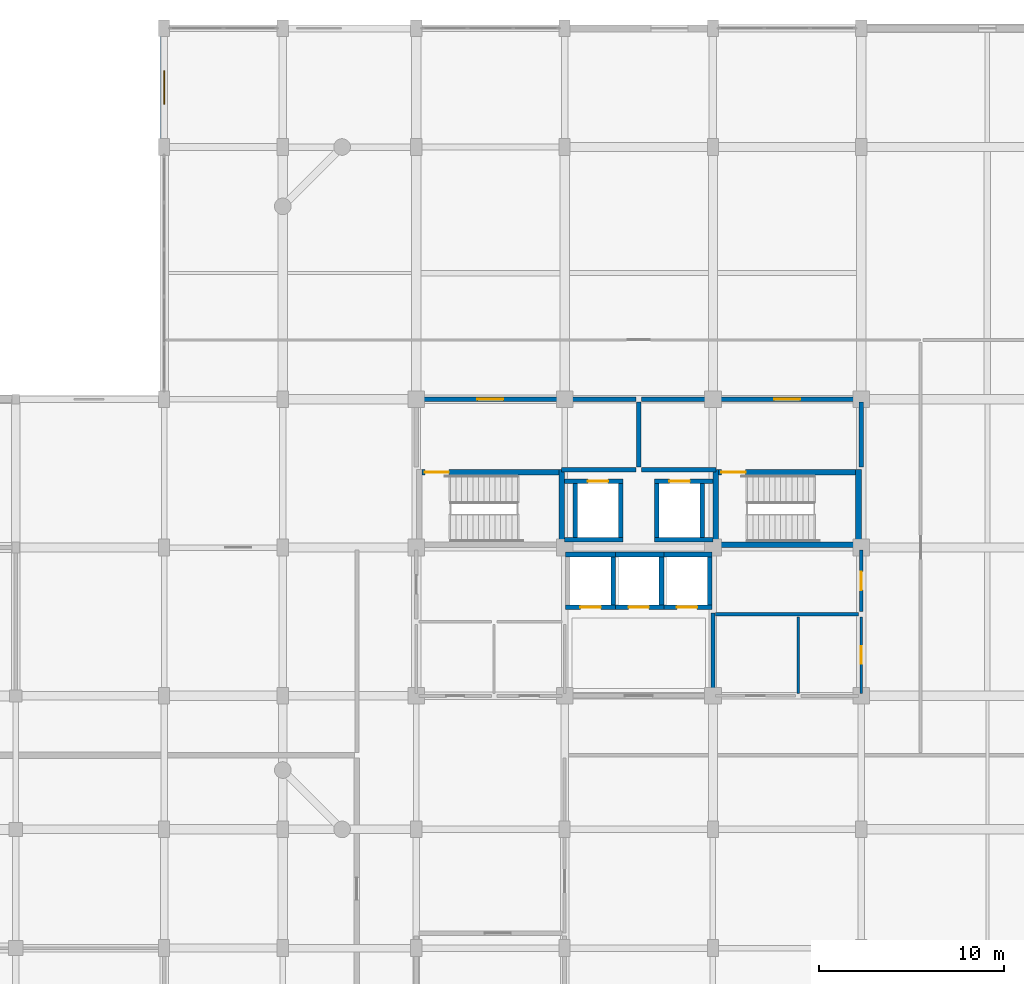
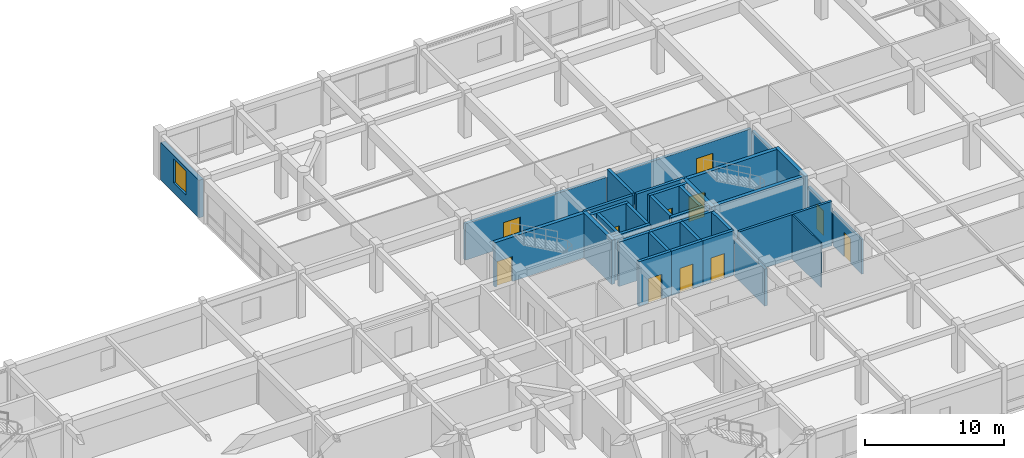
# One storey, part 31 of 35: 35 walls, 11 doors, 1 window, 12 openings.
"""IFC4 building model written with IfcOpenShell, lengths in metres."""

import ifcopenshell
import ifcopenshell.guid

model = None  # the IFC model being written
_history = None  # IfcOwnerHistory: only IFC2X3 demands one
_inside = {}  # id of a spatial element -> (the spatial element, [elements in it])
_under = {}  # id of a project, library or spatial element -> (it, [spatial elements below it])
_declared = {}  # id of a project -> (the project, [libraries it declares])
_typed = {}  # id of a type object -> (the type object, [elements of that type])
_made_of = {}  # id of a material, layer set ... -> (it, [elements and type objects made of it])


def new_model(schema):
    """Start an empty IFC model of exactly this schema.

    Asked for "IFC4X3", IfcOpenShell would pick the latest addendum, in which some entities
    have other attributes; the version numbers below select the first issue.
    IFC2X3 requires an IfcOwnerHistory on every rooted entity: one is made here for all.
    """
    global model, _history
    if schema == "IFC4X3":
        model = ifcopenshell.file(schema_version=(4, 3, 0, 0))
    else:
        model = ifcopenshell.file(schema=schema)
    _inside.clear()
    _under.clear()
    _declared.clear()
    _typed.clear()
    _made_of.clear()
    _history = None
    if model.schema == "IFC2X3":
        org = make("IfcOrganization", Name="unknown")
        user = make(
            "IfcPersonAndOrganization",
            ThePerson=make("IfcPerson", FamilyName="unknown"),
            TheOrganization=org,
        )
        app = make(
            "IfcApplication",
            ApplicationDeveloper=org,
            Version="unknown",
            ApplicationFullName="unknown",
            ApplicationIdentifier="unknown",
        )
        _history = make(
            "IfcOwnerHistory",
            OwningUser=user,
            OwningApplication=app,
            ChangeAction="ADDED",
            CreationDate=0,
        )
    return model


def make(cls, **values):
    """One entity of the class cls with the attributes given. An attribute that is None is left unset."""
    return model.create_entity(
        cls, **{name: value for name, value in values.items() if value is not None}
    )


def rooted(cls, **values):
    """An entity with a GlobalId (a new one), such as an element, a storey or a relation."""
    return make(cls, GlobalId=ifcopenshell.guid.new(), OwnerHistory=_history, **values)


def si_unit(unit_type, name, prefix=None):
    """IfcSIUnit, for example si_unit("LENGTHUNIT", "METRE", prefix="MILLI")."""
    return make("IfcSIUnit", UnitType=unit_type, Prefix=prefix, Name=name)


def assignment(units):
    """IfcUnitAssignment: the units of a project."""
    return None if units is None else make("IfcUnitAssignment", Units=units)


def point(xyz):
    """IfcCartesianPoint."""
    return None if xyz is None else make("IfcCartesianPoint", Coordinates=xyz)


def direction(xyz):
    """IfcDirection."""
    return None if xyz is None else make("IfcDirection", DirectionRatios=xyz)


def frame(location, z_axis=None, x_axis=None):
    """IfcAxis2Placement3D, a coordinate frame: its origin and axes. An axis left out is left unset."""
    return make(
        "IfcAxis2Placement3D",
        Location=point(location),
        Axis=direction(z_axis),
        RefDirection=direction(x_axis),
    )


def frame_2d(location, x_axis=None):
    """IfcAxis2Placement2D, a coordinate frame in the plane: its origin and x axis."""
    return make(
        "IfcAxis2Placement2D", Location=point(location), RefDirection=direction(x_axis)
    )


def origin():
    """The frame at (0, 0, 0) with its axes left unset."""
    return frame((0.0, 0.0, 0.0))


def place(relative_to, where):
    """IfcLocalPlacement: puts the frame where relative to a parent placement (None: the world)."""
    return make(
        "IfcLocalPlacement", PlacementRelTo=relative_to, RelativePlacement=where
    )


def context(
    kind, dimensions, precision=None, world=None, true_north=None, identifier=None
):
    """IfcGeometricRepresentationContext, for example the 3D "Model" context."""
    return make(
        "IfcGeometricRepresentationContext",
        ContextIdentifier=identifier,
        ContextType=kind,
        CoordinateSpaceDimension=dimensions,
        Precision=precision,
        WorldCoordinateSystem=world,
        TrueNorth=true_north,
    )


def subcontext(parent, identifier, kind, view, scale=None):
    """IfcGeometricRepresentationSubContext, for example "Body" below "Model"."""
    return make(
        "IfcGeometricRepresentationSubContext",
        ContextIdentifier=identifier,
        ContextType=kind,
        ParentContext=parent,
        TargetScale=scale,
        TargetView=view,
    )


def project(units=None, contexts=None):
    """IfcProject with its units and contexts."""
    return rooted(
        "IfcProject",
        Name="project",
        RepresentationContexts=contexts,
        UnitsInContext=assignment(units),
    )


def spatial(cls, under=None, at=None, **own):
    """A site, building, storey or space (cls), placed at a placement, below another one or the project."""
    s = rooted(cls, ObjectPlacement=at, **own)
    if under is not None:
        _under.setdefault(under.id(), (under, []))[1].append(s)
    return s


def profile(cls, at=None, kind="AREA", **sizes):
    """A parametric profile (cls). Its sizes go by their IFC names, for example OverallWidth=200.0."""
    return make(cls, ProfileType=kind, Position=at, **sizes)


def rectangle(**sizes):
    """IfcRectangleProfileDef."""
    return profile("IfcRectangleProfileDef", **sizes)


def extrude(swept, where, along, depth):
    """IfcExtrudedAreaSolid: the profile swept, set in the frame where, extruded along a direction by depth."""
    return make(
        "IfcExtrudedAreaSolid",
        SweptArea=swept,
        Position=where,
        ExtrudedDirection=direction(along),
        Depth=depth,
    )


def shape(context_of_items, identifier, shape_type, items):
    """IfcShapeRepresentation: the items that make up one representation, for example the "Body"."""
    return make(
        "IfcShapeRepresentation",
        ContextOfItems=context_of_items,
        RepresentationIdentifier=identifier,
        RepresentationType=shape_type,
        Items=items,
    )


def material(Name=None, Category=None):
    """IfcMaterial."""
    return make("IfcMaterial", Name=Name, Category=Category)


def layer(
    of_material, thickness, ventilated=None, Name=None, Category=None, Priority=None
):
    """IfcMaterialLayer: one layer of a wall or slab, of a material (None: an air gap)."""
    return make(
        "IfcMaterialLayer",
        Material=of_material,
        LayerThickness=thickness,
        IsVentilated=ventilated,
        Name=Name,
        Category=Category,
        Priority=Priority,
    )


def layer_set(layers, Name=None):
    """IfcMaterialLayerSet."""
    return make("IfcMaterialLayerSet", MaterialLayers=layers, LayerSetName=Name)


def made_of(thing, what):
    """Note that an element or type object is made of a material, layer set ...; save() writes the relation."""
    if what is not None:
        _made_of.setdefault(what.id(), (what, []))[1].append(thing)
    return thing


def type_object(cls, material=None, **own):
    """A type object (cls), such as IfcWallType, which elements share."""
    return made_of(rooted(cls, **own), material)


def element(
    cls,
    number,
    at=None,
    inside=None,
    cuts=None,
    type_object=None,
    material=None,
    context=None,
    identifier="Body",
    shape_type=None,
    held_by="IfcProductDefinitionShape",
    body=None,
    shapes=None,
    **own,
):
    """One element of the class cls, such as IfcWall. Its Tag is "e" and its number.

    at: its placement. inside: the storey or other place that contains it. cuts: it is an
    opening in that element (IfcRelVoidsElement). A single representation is given by context,
    identifier, shape_type and body (its items); several are given by shapes. held_by: the class
    of the entity that holds the representations. save() writes the other relations.
    """
    e = rooted(cls, Tag="e%d" % number, ObjectPlacement=at, **own)
    if body is not None:
        shapes = [shape(context, identifier, shape_type, body)]
    if shapes is not None:
        e.Representation = make(held_by, Representations=shapes)
    if inside is not None:
        _inside.setdefault(inside.id(), (inside, []))[1].append(e)
    if cuts is not None:
        rooted(
            "IfcRelVoidsElement", RelatingBuildingElement=cuts, RelatedOpeningElement=e
        )
    if type_object is not None:
        _typed.setdefault(type_object.id(), (type_object, []))[1].append(e)
    return made_of(e, material)


def fill(opening, filler):
    """IfcRelFillsElement: the door or window that sits in an opening."""
    return rooted(
        "IfcRelFillsElement",
        RelatingOpeningElement=opening,
        RelatedBuildingElement=filler,
    )


def aggregate(whole, parts):
    """IfcRelAggregates: a whole, such as a stair, and the parts it consists of."""
    return rooted("IfcRelAggregates", RelatingObject=whole, RelatedObjects=parts)


def save(model, path):
    """Write the relations noted so far, then the file.

    IfcRelAggregates (storeys below a building ...), IfcRelContainedInSpatialStructure (elements
    in a storey), IfcRelDefinesByType, IfcRelAssociatesMaterial and IfcRelDeclares: one each for
    every whole, place, type object, material and project.
    """
    for whole, parts in _under.values():
        aggregate(whole, parts)
    for where, things in _inside.values():
        rooted(
            "IfcRelContainedInSpatialStructure",
            RelatedElements=things,
            RelatingStructure=where,
        )
    for kind, things in _typed.values():
        rooted("IfcRelDefinesByType", RelatedObjects=things, RelatingType=kind)
    for what, things in _made_of.values():
        rooted("IfcRelAssociatesMaterial", RelatedObjects=things, RelatingMaterial=what)
    for by, libraries in _declared.values():
        rooted("IfcRelDeclares", RelatingContext=by, RelatedDefinitions=libraries)
    model.write(path)


model = new_model("IFC4")

# Units and contexts
model_context = context("Model", 3, precision=1e-05, world=origin(), true_north=direction((0.0, 1.0)))
body_context = subcontext(model_context, "Body", "Model", "MODEL_VIEW")
ifc_project = project(units=[si_unit("LENGTHUNIT", "METRE"), si_unit("AREAUNIT", "SQUARE_METRE"), si_unit("VOLUMEUNIT", "CUBIC_METRE"), si_unit("PLANEANGLEUNIT", "RADIAN"), si_unit("MASSUNIT", "GRAM", prefix="KILO")], contexts=[model_context])

# Site, building, storey
site_placement = place(None, origin())
site = spatial("IfcSite", under=ifc_project, at=site_placement, CompositionType="ELEMENT")
building_placement = place(site_placement, origin())
building = spatial("IfcBuilding", under=site, at=building_placement, Name="Vellmiral Cinema and Media Centre", CompositionType="ELEMENT")
storey_placement = place(building_placement, frame((0.0, 0.0, 15.60009765625)))
storey = spatial("IfcBuildingStorey", under=building, at=storey_placement, Name="L03", CompositionType="ELEMENT", Elevation=15.60009765625)

# Wall
ifc_material_1 = material(Name="Concrete C40/50", Category="concrete")
ifc_layer_1 = layer(ifc_material_1, 0.2099609375, Name="Concrete C40/50")
ifc_layer_set_1 = layer_set([ifc_layer_1], Name="Concrete C40/50")
wall_type_1 = type_object("IfcWallType", Name="WL-COMP-210", PredefinedType="SOLIDWALL", material=ifc_layer_set_1)
wall_1_placement = place(storey_placement, frame((140.139892578125, 83.60009765625, 0.0), z_axis=(0.0, 0.0, 1.0), x_axis=(1.0, 0.0, 0.0)))
element("IfcWall", 1, at=wall_1_placement, inside=storey, type_object=wall_type_1, Name="Mechanical Riser and Duct Room Wall S", PredefinedType="SOLIDWALL", context=body_context, shape_type="SweptSolid", body=[
    extrude(rectangle(XDim=7.72021484375, YDim=0.2099609375, at=frame_2d((3.860107421875, 0.0))), origin(), (0.0, 0.0, 1.0), 3.89990234375),
])

# Wall, opening, door
wall_2_placement = place(storey_placement, frame((148.0, 83.739990234375, 0.0), z_axis=(0.0, 0.0, 1.0), x_axis=(0.0, 1.0, 0.0)))
wall_2 = element("IfcWall", 2, at=wall_2_placement, inside=storey, type_object=wall_type_1, Name="Mechanical Riser and Duct Room Wall E", PredefinedType="SOLIDWALL", context=body_context, shape_type="SweptSolid", body=[
    extrude(rectangle(XDim=3.320068359375, YDim=0.2099609375, at=frame_2d((1.66015625, 0.0))), origin(), (0.0, 0.0, 1.0), 3.044921875),
])
opening_1_placement = place(wall_2_placement, frame((1.159912109375, 0.0, 0.0)))
opening_1 = element("IfcOpeningElement", 3, at=opening_1_placement, cuts=wall_2, Name="Opening D-FD30B", PredefinedType="OPENING", context=body_context, shape_type="SweptSolid", body=[
    extrude(rectangle(XDim=1.0, YDim=2.14990234375, at=frame_2d((0.5, 1.074951171875))), frame((0.0, 0.116943359375, 0.0), z_axis=(0.0, -1.0, 0.0), x_axis=(1.0, 0.0, 0.0)), (0.0, 0.0, 1.0), 0.23388671875),
])
ifc_material_2 = material(Name="Steel Riser Fire Door", Category="steel")
door_type_1 = type_object("IfcDoorType", Name="DR-FD30-1000x2150", OperationType="NOTDEFINED", PredefinedType="DOOR", material=ifc_material_2)
door_1_placement = place(opening_1_placement, origin())
door_1 = element("IfcDoor", 4, at=door_1_placement, inside=storey, type_object=door_type_1, Name="Mechanical Riser and Duct Room Door", OperationType="SINGLE_SWING_RIGHT", OverallHeight=2.14990234375, OverallWidth=1.0, PredefinedType="DOOR", context=body_context, shape_type="SweptSolid", body=[
    extrude(rectangle(XDim=1.0, YDim=2.14990234375, at=frame_2d((0.5, 1.074951171875))), frame((0.0, 0.02490234375, 0.0), z_axis=(0.0, -1.0, 0.0), x_axis=(1.0, 0.0, 0.0)), (0.0, 0.0, 1.0), 0.050048828125),
])
fill(opening_1, door_1)

# Wall
ifc_material_3 = material(Name="Concrete C40/50", Category="concrete")
ifc_layer_2 = layer(ifc_material_3, 0.300048828125, Name="Concrete C40/50")
ifc_layer_set_2 = layer_set([ifc_layer_2], Name="Concrete C40/50")
wall_type_2 = type_object("IfcWallType", Name="WL-CORE-300", PredefinedType="SHEAR", material=ifc_layer_set_2)
wall_3_placement = place(storey_placement, frame((131.85009765625, 87.199951171875, 0.0), z_axis=(0.0, 0.0, 1.0), x_axis=(0.0, 1.0, 0.0)))
element("IfcWall", 5, at=wall_3_placement, inside=storey, type_object=wall_type_2, Name="Stair Core Wall ST-T1 L03-E", PredefinedType="SHEAR", context=body_context, shape_type="SweptSolid", body=[
    extrude(rectangle(XDim=4.199951171875, YDim=0.300048828125, at=frame_2d((2.10009765625, 0.0))), origin(), (0.0, 0.0, 1.0), 3.89990234375),
])

# Wall, opening, door
wall_4_placement = place(storey_placement, frame((124.300048828125, 91.25, 0.0), z_axis=(0.0, 0.0, 1.0), x_axis=(1.0, 0.0, 0.0)))
wall_4 = element("IfcWall", 6, at=wall_4_placement, inside=storey, type_object=wall_type_2, Name="Stair Core Wall ST-T1 L03-N", PredefinedType="SHEAR", context=body_context, shape_type="SweptSolid", body=[
    extrude(rectangle(XDim=7.39990234375, YDim=0.300048828125, at=frame_2d((3.699951171875, 0.0))), origin(), (0.0, 0.0, 1.0), 3.89990234375),
])
opening_2_placement = place(wall_4_placement, frame((0.159912109375, 0.0, 0.0)))
opening_2 = element("IfcOpeningElement", 7, at=opening_2_placement, cuts=wall_4, Name="Opening D-FD30A", PredefinedType="OPENING", context=body_context, shape_type="SweptSolid", body=[
    extrude(rectangle(XDim=1.300048828125, YDim=2.179931640625, at=frame_2d((0.64990234375, 1.08984375))), frame((0.0, 0.162109375, 0.0), z_axis=(0.0, -1.0, 0.0), x_axis=(1.0, 0.0, 0.0)), (0.0, 0.0, 1.0), 0.323974609375),
])
ifc_material_4 = material(Name="Steel Stair Fire Door", Category="steel")
door_type_2 = type_object("IfcDoorType", Name="DR-FD30-1300x2180", OperationType="NOTDEFINED", PredefinedType="DOOR", material=ifc_material_4)
door_2_placement = place(opening_2_placement, frame((1.300048828125, 0.0, 0.0), z_axis=(0.0, 0.0, 1.0), x_axis=(-1.0, 0.0, 0.0)))
door_2 = element("IfcDoor", 8, at=door_2_placement, inside=storey, type_object=door_type_2, Name="Protected Stair Door ST-T1 L03", OperationType="SINGLE_SWING_RIGHT", OverallHeight=2.179931640625, OverallWidth=1.300048828125, PredefinedType="DOOR", context=body_context, shape_type="SweptSolid", body=[
    extrude(rectangle(XDim=1.300048828125, YDim=2.179931640625, at=frame_2d((0.64990234375, 1.08984375))), frame((0.0, 0.02490234375, 0.0), z_axis=(0.0, -1.0, 0.0), x_axis=(1.0, 0.0, 0.0)), (0.0, 0.0, 1.0), 0.050048828125),
])
fill(opening_2, door_2)

# Walls
for number, where, z_axis, x_axis, name in (
    (9, (140.14990234375, 87.199951171875, 0.0), (0.0, 0.0, 1.0), (0.0, 1.0, 0.0), "Stair Core Wall ST-T2 L03-W"),
    (10, (147.85009765625, 87.199951171875, 0.0), (0.0, 0.0, 1.0), (0.0, 1.0, 0.0), "Stair Core Wall ST-T2 L03-E"),
):
    element("IfcWall", number, at=place(storey_placement, frame(where, z_axis=z_axis, x_axis=x_axis)), inside=storey, type_object=wall_type_2, Name=name, PredefinedType="SHEAR", context=body_context, shape_type="SweptSolid", body=[
        extrude(rectangle(XDim=4.199951171875, YDim=0.300048828125, at=frame_2d((2.10009765625, 0.0))), origin(), (0.0, 0.0, 1.0), 3.89990234375),
    ])
wall_5_placement = place(storey_placement, frame((140.300048828125, 87.35009765625, 0.0), z_axis=(0.0, 0.0, 1.0), x_axis=(1.0, 0.0, 0.0)))
element("IfcWall", 11, at=wall_5_placement, inside=storey, type_object=wall_type_2, Name="Stair Core Wall ST-T2 L03-S", PredefinedType="SHEAR", context=body_context, shape_type="SweptSolid", body=[
    extrude(rectangle(XDim=7.39990234375, YDim=0.300048828125, at=frame_2d((3.699951171875, 0.0))), origin(), (0.0, 0.0, 1.0), 3.89990234375),
])

# Wall, opening, door
wall_6_placement = place(storey_placement, frame((140.300048828125, 91.25, 0.0), z_axis=(0.0, 0.0, 1.0), x_axis=(1.0, 0.0, 0.0)))
wall_6 = element("IfcWall", 12, at=wall_6_placement, inside=storey, type_object=wall_type_2, Name="Stair Core Wall ST-T2 L03-N", PredefinedType="SHEAR", context=body_context, shape_type="SweptSolid", body=[
    extrude(rectangle(XDim=7.39990234375, YDim=0.300048828125, at=frame_2d((3.699951171875, 0.0))), origin(), (0.0, 0.0, 1.0), 3.89990234375),
])
opening_3_placement = place(wall_6_placement, frame((0.159912109375, 0.0, 0.0)))
opening_3 = element("IfcOpeningElement", 13, at=opening_3_placement, cuts=wall_6, Name="Opening D-FD30A", PredefinedType="OPENING", context=body_context, shape_type="SweptSolid", body=[
    extrude(rectangle(XDim=1.300048828125, YDim=2.179931640625, at=frame_2d((0.64990234375, 1.08984375))), frame((0.0, 0.162109375, 0.0), z_axis=(0.0, -1.0, 0.0), x_axis=(1.0, 0.0, 0.0)), (0.0, 0.0, 1.0), 0.323974609375),
])
door_3_placement = place(opening_3_placement, frame((1.300048828125, 0.0, 0.0), z_axis=(0.0, 0.0, 1.0), x_axis=(-1.0, 0.0, 0.0)))
door_3 = element("IfcDoor", 14, at=door_3_placement, inside=storey, type_object=door_type_2, Name="Protected Stair Door ST-T2 L03", OperationType="SINGLE_SWING_RIGHT", OverallHeight=2.179931640625, OverallWidth=1.300048828125, PredefinedType="DOOR", context=body_context, shape_type="SweptSolid", body=[
    extrude(rectangle(XDim=1.300048828125, YDim=2.179931640625, at=frame_2d((0.64990234375, 1.08984375))), frame((0.0, 0.02490234375, 0.0), z_axis=(0.0, -1.0, 0.0), x_axis=(1.0, 0.0, 0.0)), (0.0, 0.0, 1.0), 0.050048828125),
])
fill(opening_3, door_3)

# Wall, opening, window
ifc_material_5 = material(Name="Vosges Red Sandstone Masonry", Category="masonry")
ifc_layer_3 = layer(ifc_material_5, 0.3798828125, Name="Vosges Red Sandstone Masonry")
ifc_layer_set_3 = layer_set([ifc_layer_3], Name="Vosges Red Sandstone Masonry")
wall_type_3 = type_object("IfcWallType", Name="WL-EXT-SAND-380", PredefinedType="SOLIDWALL", material=ifc_layer_set_3)
wall_7_placement = place(storey_placement, frame((110.39990234375, 114.75, 0.0), z_axis=(0.0, 0.0, 1.0), x_axis=(0.0, -1.0, 0.0)))
wall_7 = element("IfcWall", 15, at=wall_7_placement, inside=storey, type_object=wall_type_3, Name="Exterior Facade Wall L03-035", PredefinedType="SOLIDWALL", context=body_context, shape_type="SweptSolid", body=[
    extrude(rectangle(XDim=5.5, YDim=0.3798828125, at=frame_2d((2.75, 0.0))), origin(), (0.0, 0.0, 1.0), 3.2998046875),
])
opening_4_placement = place(wall_7_placement, frame((1.85009765625, 0.0, 0.89990234375)))
opening_4 = element("IfcOpeningElement", 16, at=opening_4_placement, cuts=wall_7, Name="Opening WN-03", PredefinedType="OPENING", context=body_context, shape_type="SweptSolid", body=[
    extrude(rectangle(XDim=1.800048828125, YDim=2.10009765625, at=frame_2d((0.89990234375, 1.050048828125))), frame((0.0, 0.201904296875, 0.0), z_axis=(0.0, -1.0, 0.0), x_axis=(1.0, 0.0, 0.0)), (0.0, 0.0, 1.0), 0.40380859375),
])
ifc_material_6 = material(Name="Thermally Broken Aluminium Triple Glazing", Category="aluminium")
window_type = type_object("IfcWindowType", Name="WN-1800x2100", PartitioningType="DOUBLE_PANEL_VERTICAL", PredefinedType="WINDOW", material=ifc_material_6)
window_placement = place(opening_4_placement, origin())
window = element("IfcWindow", 17, at=window_placement, inside=storey, type_object=window_type, Name="Window L03-035", OverallHeight=2.10009765625, OverallWidth=1.800048828125, PartitioningType="DOUBLE_PANEL_VERTICAL", PredefinedType="WINDOW", context=body_context, shape_type="SweptSolid", body=[
    extrude(rectangle(XDim=1.800048828125, YDim=2.10009765625, at=frame_2d((0.89990234375, 1.050048828125))), frame((0.0, 0.030029296875, 0.0), z_axis=(0.0, -1.0, 0.0), x_axis=(1.0, 0.0, 0.0)), (0.0, 0.0, 1.0), 0.06005859375),
])
fill(opening_4, window)

# Wall
ifc_material_7 = material(Name="Concrete C40/50", Category="concrete")
ifc_layer_4 = layer(ifc_material_7, 0.22998046875, Name="Concrete C40/50")
ifc_layer_set_4 = layer_set([ifc_layer_4], Name="Concrete C40/50")
wall_type_4 = type_object("IfcWallType", Name="WL-FFL-230", PredefinedType="SOLIDWALL", material=ifc_layer_set_4)
wall_8_placement = place(storey_placement, frame((131.840087890625, 91.39990234375, 0.0), z_axis=(0.0, 0.0, 1.0), x_axis=(1.0, 0.0, 0.0)))
element("IfcWall", 18, at=wall_8_placement, inside=storey, type_object=wall_type_4, Name="Firefighting Lobby West Wall S", PredefinedType="SOLIDWALL", context=body_context, shape_type="SweptSolid", body=[
    extrude(rectangle(XDim=4.02001953125, YDim=0.22998046875, at=frame_2d((2.010009765625, 0.0))), origin(), (0.0, 0.0, 1.0), 3.89990234375),
])

# Wall, opening, door
wall_9_placement = place(storey_placement, frame((124.139892578125, 95.199951171875, 0.0), z_axis=(0.0, 0.0, 1.0), x_axis=(1.0, 0.0, 0.0)))
wall_9 = element("IfcWall", 19, at=wall_9_placement, inside=storey, type_object=wall_type_4, Name="Firefighting Lobby West Wall N", PredefinedType="SOLIDWALL", context=body_context, shape_type="SweptSolid", body=[
    extrude(rectangle(XDim=11.72021484375, YDim=0.22998046875, at=frame_2d((5.860107421875, 0.0))), origin(), (0.0, 0.0, 1.0), 3.19482421875),
])
opening_5_placement = place(wall_9_placement, frame((3.159912109375, 0.0, 0.0)))
opening_5 = element("IfcOpeningElement", 20, at=opening_5_placement, cuts=wall_9, Name="Opening D-FD60B", PredefinedType="OPENING", context=body_context, shape_type="SweptSolid", body=[
    extrude(rectangle(XDim=1.39990234375, YDim=2.199951171875, at=frame_2d((0.699951171875, 1.10009765625))), frame((0.0, 0.126953125, 0.0), z_axis=(0.0, -1.0, 0.0), x_axis=(1.0, 0.0, 0.0)), (0.0, 0.0, 1.0), 0.25390625),
])
ifc_material_8 = material(Name="Steel Fire Door", Category="steel")
door_type_3 = type_object("IfcDoorType", Name="DR-FD60-1400x2200", OperationType="NOTDEFINED", PredefinedType="DOOR", material=ifc_material_8)
door_4_placement = place(opening_5_placement, frame((1.39990234375, 0.0, 0.0), z_axis=(0.0, 0.0, 1.0), x_axis=(-1.0, 0.0, 0.0)))
door_4 = element("IfcDoor", 21, at=door_4_placement, inside=storey, type_object=door_type_3, Name="Firefighting Lobby West Door", OperationType="SINGLE_SWING_RIGHT", OverallHeight=2.199951171875, OverallWidth=1.39990234375, PredefinedType="DOOR", context=body_context, shape_type="SweptSolid", body=[
    extrude(rectangle(XDim=1.39990234375, YDim=2.199951171875, at=frame_2d((0.699951171875, 1.10009765625))), frame((0.0, 0.02490234375, 0.0), z_axis=(0.0, -1.0, 0.0), x_axis=(1.0, 0.0, 0.0)), (0.0, 0.0, 1.0), 0.050048828125),
])
fill(opening_5, door_4)

# Walls
wall_10_placement = place(storey_placement, frame((136.0, 91.5400390625, 0.0), z_axis=(0.0, 0.0, 1.0), x_axis=(0.0, 1.0, 0.0)))
element("IfcWall", 22, at=wall_10_placement, inside=storey, type_object=wall_type_4, Name="Firefighting Lobby West Wall E", PredefinedType="SOLIDWALL", context=body_context, shape_type="SweptSolid", body=[
    extrude(rectangle(XDim=3.52001953125, YDim=0.22998046875, at=frame_2d((1.760009765625, 0.0))), origin(), (0.0, 0.0, 1.0), 3.89990234375),
])
wall_11_placement = place(storey_placement, frame((136.139892578125, 91.39990234375, 0.0), z_axis=(0.0, 0.0, 1.0), x_axis=(1.0, 0.0, 0.0)))
element("IfcWall", 23, at=wall_11_placement, inside=storey, type_object=wall_type_4, Name="Firefighting Lobby East Wall S", PredefinedType="SOLIDWALL", context=body_context, shape_type="SweptSolid", body=[
    extrude(rectangle(XDim=4.02001953125, YDim=0.22998046875, at=frame_2d((2.010009765625, 0.0))), origin(), (0.0, 0.0, 1.0), 3.89990234375),
])

# Wall, opening, door
wall_12_placement = place(storey_placement, frame((136.139892578125, 95.199951171875, 0.0), z_axis=(0.0, 0.0, 1.0), x_axis=(1.0, 0.0, 0.0)))
wall_12 = element("IfcWall", 24, at=wall_12_placement, inside=storey, type_object=wall_type_4, Name="Firefighting Lobby East Wall N", PredefinedType="SOLIDWALL", context=body_context, shape_type="SweptSolid", body=[
    extrude(rectangle(XDim=11.72021484375, YDim=0.22998046875, at=frame_2d((5.860107421875, 0.0))), origin(), (0.0, 0.0, 1.0), 3.244873046875),
])
opening_6_placement = place(wall_12_placement, frame((7.159912109375, 0.0, 0.0)))
opening_6 = element("IfcOpeningElement", 25, at=opening_6_placement, cuts=wall_12, Name="Opening D-FD60B", PredefinedType="OPENING", context=body_context, shape_type="SweptSolid", body=[
    extrude(rectangle(XDim=1.39990234375, YDim=2.199951171875, at=frame_2d((0.699951171875, 1.10009765625))), frame((0.0, 0.126953125, 0.0), z_axis=(0.0, -1.0, 0.0), x_axis=(1.0, 0.0, 0.0)), (0.0, 0.0, 1.0), 0.25390625),
])
door_5_placement = place(opening_6_placement, frame((1.39990234375, 0.0, 0.0), z_axis=(0.0, 0.0, 1.0), x_axis=(-1.0, 0.0, 0.0)))
door_5 = element("IfcDoor", 26, at=door_5_placement, inside=storey, type_object=door_type_3, Name="Firefighting Lobby East Door", OperationType="SINGLE_SWING_LEFT", OverallHeight=2.199951171875, OverallWidth=1.39990234375, PredefinedType="DOOR", context=body_context, shape_type="SweptSolid", body=[
    extrude(rectangle(XDim=1.39990234375, YDim=2.199951171875, at=frame_2d((0.699951171875, 1.10009765625))), frame((0.0, 0.02490234375, 0.0), z_axis=(0.0, -1.0, 0.0), x_axis=(1.0, 0.0, 0.0)), (0.0, 0.0, 1.0), 0.050048828125),
])
fill(opening_6, door_5)

# Walls
wall_13_placement = place(storey_placement, frame((148.0, 91.5400390625, 0.0), z_axis=(0.0, 0.0, 1.0), x_axis=(0.0, 1.0, 0.0)))
element("IfcWall", 27, at=wall_13_placement, inside=storey, type_object=wall_type_4, Name="Firefighting Lobby East Wall E", PredefinedType="SOLIDWALL", context=body_context, shape_type="SweptSolid", body=[
    extrude(rectangle(XDim=3.52001953125, YDim=0.22998046875, at=frame_2d((1.760009765625, 0.0))), origin(), (0.0, 0.0, 1.0), 3.094970703125),
])
wall_14_placement = place(storey_placement, frame((140.0, 79.340087890625, 0.0), z_axis=(0.0, 0.0, 1.0), x_axis=(0.0, 1.0, 0.0)))
element("IfcWall", 28, at=wall_14_placement, inside=storey, type_object=wall_type_4, Name="Tower Passenger Lift Lobby Wall E", PredefinedType="SOLIDWALL", context=body_context, shape_type="SweptSolid", body=[
    extrude(rectangle(XDim=4.31982421875, YDim=0.22998046875, at=frame_2d((2.159912109375, 0.0))), origin(), (0.0, 0.0, 1.0), 3.244873046875),
])
ifc_material_9 = material(Name="Gypsum Plasterboard")
ifc_layer_5 = layer(ifc_material_9, 0.02490234375, Name="Gypsum Plasterboard", Category="gypsum")
ifc_material_10 = material(Name="Mineral Wool Acoustic Insulation", Category="insulation")
ifc_layer_6 = layer(ifc_material_10, 0.06005859375, Name="Mineral Wool Acoustic Insulation", Category="insulation")
ifc_layer_7 = layer(ifc_material_9, 0.02490234375, Name="Gypsum Plasterboard", Category="gypsum")
ifc_layer_set_5 = layer_set([ifc_layer_5, ifc_layer_6, ifc_layer_7], Name="Gypsum Plasterboard")
wall_type_5 = type_object("IfcWallType", Name="WL-PART-110", PredefinedType="PARTITIONING", material=ifc_layer_set_5)
wall_15_placement = place(storey_placement, frame((144.60009765625, 79.340087890625, 0.0), z_axis=(0.0, 0.0, 1.0), x_axis=(0.0, 1.0, 0.0)))
element("IfcWall", 29, at=wall_15_placement, inside=storey, type_object=wall_type_5, Name="Staff Tea Pantry Wall E", PredefinedType="PARTITIONING", context=body_context, shape_type="SweptSolid", body=[
    extrude(rectangle(XDim=4.119873046875, YDim=0.110107421875, at=frame_2d((2.06005859375, 0.0))), origin(), (0.0, 0.0, 1.0), 3.89990234375),
])

# Wall, opening, door
ifc_material_11 = material(Name="Gypsum Plasterboard")
ifc_layer_8 = layer(ifc_material_11, 0.02490234375, Name="Gypsum Plasterboard", Category="gypsum")
ifc_material_12 = material(Name="Mineral Wool Acoustic Insulation", Category="insulation")
ifc_layer_9 = layer(ifc_material_12, 0.10009765625, Name="Mineral Wool Acoustic Insulation", Category="insulation")
ifc_layer_10 = layer(ifc_material_11, 0.02490234375, Name="Gypsum Plasterboard", Category="gypsum")
ifc_layer_set_6 = layer_set([ifc_layer_8, ifc_layer_9, ifc_layer_10], Name="Gypsum Plasterboard")
wall_type_6 = type_object("IfcWallType", Name="WL-PART-150", PredefinedType="PARTITIONING", material=ifc_layer_set_6)
wall_16_placement = place(storey_placement, frame((148.0, 79.340087890625, 0.0), z_axis=(0.0, 0.0, 1.0), x_axis=(0.0, 1.0, 0.0)))
wall_16 = element("IfcWall", 30, at=wall_16_placement, inside=storey, type_object=wall_type_6, Name="Equipment Store Room Wall E", PredefinedType="PARTITIONING", context=body_context, shape_type="SweptSolid", body=[
    extrude(rectangle(XDim=4.119873046875, YDim=0.14990234375, at=frame_2d((2.06005859375, 0.0))), origin(), (0.0, 0.0, 1.0), 3.044921875),
])
opening_7_placement = place(wall_16_placement, frame((1.5849609375, 0.0, 0.0)))
opening_7 = element("IfcOpeningElement", 31, at=opening_7_placement, cuts=wall_16, Name="Opening D-I09", PredefinedType="OPENING", context=body_context, shape_type="SweptSolid", body=[
    extrude(rectangle(XDim=0.949951171875, YDim=2.14990234375, at=frame_2d((0.47509765625, 1.074951171875))), frame((0.0, 0.0869140625, 0.0), z_axis=(0.0, -1.0, 0.0), x_axis=(1.0, 0.0, 0.0)), (0.0, 0.0, 1.0), 0.173828125),
])
ifc_material_13 = material(Name="Moisture-Resistant Timber Door", Category="wood")
door_type_4 = type_object("IfcDoorType", Name="DR-INT-950x2150", OperationType="NOTDEFINED", PredefinedType="DOOR", material=ifc_material_13)
door_6_placement = place(opening_7_placement, origin())
door_6 = element("IfcDoor", 32, at=door_6_placement, inside=storey, type_object=door_type_4, Name="Equipment Store Room Door", OperationType="SINGLE_SWING_RIGHT", OverallHeight=2.14990234375, OverallWidth=0.949951171875, PredefinedType="DOOR", context=body_context, shape_type="SweptSolid", body=[
    extrude(rectangle(XDim=0.949951171875, YDim=2.14990234375, at=frame_2d((0.47509765625, 1.074951171875))), frame((0.0, 0.02490234375, 0.0), z_axis=(0.0, -1.0, 0.0), x_axis=(1.0, 0.0, 0.0)), (0.0, 0.0, 1.0), 0.050048828125),
])
fill(opening_7, door_6)

# Wall
ifc_material_14 = material(Name="Concrete C40/50", Category="concrete")
ifc_layer_11 = layer(ifc_material_14, 0.25, Name="Concrete C40/50")
ifc_layer_set_7 = layer_set([ifc_layer_11], Name="Concrete C40/50")
wall_type_7 = type_object("IfcWallType", Name="WL-SHAFT-250", PredefinedType="SHEAR", material=ifc_layer_set_7)
wall_17_placement = place(storey_placement, frame((132.0, 87.625, 0.0), z_axis=(0.0, 0.0, 1.0), x_axis=(1.0, 0.0, 0.0)))
element("IfcWall", 33, at=wall_17_placement, inside=storey, type_object=wall_type_7, Name="Lift Shaft Wall LF-FF1 L03-S", PredefinedType="SHEAR", context=body_context, shape_type="SweptSolid", body=[
    extrude(rectangle(XDim=3.14990234375, YDim=0.25, at=frame_2d((1.574951171875, 0.0))), origin(), (0.0, 0.0, 1.0), 3.89990234375),
])

# Wall, opening, door
wall_18_placement = place(storey_placement, frame((132.0, 90.77490234375, 0.0), z_axis=(0.0, 0.0, 1.0), x_axis=(1.0, 0.0, 0.0)))
wall_18 = element("IfcWall", 34, at=wall_18_placement, inside=storey, type_object=wall_type_7, Name="Lift Shaft Wall LF-FF1 L03-N", PredefinedType="SHEAR", context=body_context, shape_type="SweptSolid", body=[
    extrude(rectangle(XDim=3.14990234375, YDim=0.25, at=frame_2d((1.574951171875, 0.0))), origin(), (0.0, 0.0, 1.0), 3.89990234375),
])
opening_8_placement = place(wall_18_placement, frame((1.25, 0.0, 0.0)))
opening_8 = element("IfcOpeningElement", 35, at=opening_8_placement, cuts=wall_18, Name="Opening LD-01", PredefinedType="OPENING", context=body_context, shape_type="SweptSolid", body=[
    extrude(rectangle(XDim=1.10009765625, YDim=2.14990234375, at=frame_2d((0.550048828125, 1.074951171875))), frame((0.0, 0.136962890625, 0.0), z_axis=(0.0, -1.0, 0.0), x_axis=(1.0, 0.0, 0.0)), (0.0, 0.0, 1.0), 0.27392578125),
])
ifc_material_15 = material(Name="Stainless Steel Lift Landing Door", Category="steel")
door_type_5 = type_object("IfcDoorType", Name="DR-LIFT-1100x2150", OperationType="SLIDING_TO_LEFT", PredefinedType="DOOR", material=ifc_material_15)
door_7_placement = place(opening_8_placement, origin())
door_7 = element("IfcDoor", 36, at=door_7_placement, inside=storey, type_object=door_type_5, Name="Lift Landing Door LF-FF1 L03", OperationType="SLIDING_TO_LEFT", OverallHeight=2.14990234375, OverallWidth=1.10009765625, PredefinedType="DOOR", context=body_context, shape_type="SweptSolid", body=[
    extrude(rectangle(XDim=1.10009765625, YDim=2.14990234375, at=frame_2d((0.550048828125, 1.074951171875))), frame((0.0, 0.02490234375, 0.0), z_axis=(0.0, -1.0, 0.0), x_axis=(1.0, 0.0, 0.0)), (0.0, 0.0, 1.0), 0.050048828125),
])
fill(opening_8, door_7)

# Walls
for number, where, z_axis, x_axis, name in (
    (37, (132.574951171875, 87.75, 0.0), (0.0, 0.0, 1.0), (0.0, 1.0, 0.0), "Lift Shaft Wall LF-FF1 L03-W"),
    (38, (135.02490234375, 87.75, 0.0), (0.0, 0.0, 1.0), (0.0, 1.0, 0.0), "Lift Shaft Wall LF-FF1 L03-E"),
):
    element("IfcWall", number, at=place(storey_placement, frame(where, z_axis=z_axis, x_axis=x_axis)), inside=storey, type_object=wall_type_7, Name=name, PredefinedType="SHEAR", context=body_context, shape_type="SweptSolid", body=[
        extrude(rectangle(XDim=2.89990234375, YDim=0.25, at=frame_2d((1.449951171875, 0.0))), origin(), (0.0, 0.0, 1.0), 3.89990234375),
    ])
wall_19_placement = place(storey_placement, frame((136.85009765625, 87.625, 0.0), z_axis=(0.0, 0.0, 1.0), x_axis=(1.0, 0.0, 0.0)))
element("IfcWall", 39, at=wall_19_placement, inside=storey, type_object=wall_type_7, Name="Lift Shaft Wall LF-FF2 L03-S", PredefinedType="SHEAR", context=body_context, shape_type="SweptSolid", body=[
    extrude(rectangle(XDim=3.14990234375, YDim=0.25, at=frame_2d((1.574951171875, 0.0))), origin(), (0.0, 0.0, 1.0), 3.89990234375),
])

# Wall, opening, door
wall_20_placement = place(storey_placement, frame((136.85009765625, 90.77490234375, 0.0), z_axis=(0.0, 0.0, 1.0), x_axis=(1.0, 0.0, 0.0)))
wall_20 = element("IfcWall", 40, at=wall_20_placement, inside=storey, type_object=wall_type_7, Name="Lift Shaft Wall LF-FF2 L03-N", PredefinedType="SHEAR", context=body_context, shape_type="SweptSolid", body=[
    extrude(rectangle(XDim=3.14990234375, YDim=0.25, at=frame_2d((1.574951171875, 0.0))), origin(), (0.0, 0.0, 1.0), 3.89990234375),
])
opening_9_placement = place(wall_20_placement, frame((0.800048828125, 0.0, 0.0)))
opening_9 = element("IfcOpeningElement", 41, at=opening_9_placement, cuts=wall_20, Name="Opening LD-01", PredefinedType="OPENING", context=body_context, shape_type="SweptSolid", body=[
    extrude(rectangle(XDim=1.10009765625, YDim=2.14990234375, at=frame_2d((0.550048828125, 1.074951171875))), frame((0.0, 0.136962890625, 0.0), z_axis=(0.0, -1.0, 0.0), x_axis=(1.0, 0.0, 0.0)), (0.0, 0.0, 1.0), 0.27392578125),
])
door_8_placement = place(opening_9_placement, origin())
door_8 = element("IfcDoor", 42, at=door_8_placement, inside=storey, type_object=door_type_5, Name="Lift Landing Door LF-FF2 L03", OperationType="SLIDING_TO_LEFT", OverallHeight=2.14990234375, OverallWidth=1.10009765625, PredefinedType="DOOR", context=body_context, shape_type="SweptSolid", body=[
    extrude(rectangle(XDim=1.10009765625, YDim=2.14990234375, at=frame_2d((0.550048828125, 1.074951171875))), frame((0.0, 0.02490234375, 0.0), z_axis=(0.0, -1.0, 0.0), x_axis=(1.0, 0.0, 0.0)), (0.0, 0.0, 1.0), 0.050048828125),
])
fill(opening_9, door_8)

# Walls
for number, where, z_axis, x_axis, name in (
    (43, (136.97509765625, 87.75, 0.0), (0.0, 0.0, 1.0), (0.0, 1.0, 0.0), "Lift Shaft Wall LF-FF2 L03-W"),
    (44, (139.425048828125, 87.75, 0.0), (0.0, 0.0, 1.0), (0.0, 1.0, 0.0), "Lift Shaft Wall LF-FF2 L03-E"),
):
    element("IfcWall", number, at=place(storey_placement, frame(where, z_axis=z_axis, x_axis=x_axis)), inside=storey, type_object=wall_type_7, Name=name, PredefinedType="SHEAR", context=body_context, shape_type="SweptSolid", body=[
        extrude(rectangle(XDim=2.89990234375, YDim=0.25, at=frame_2d((1.449951171875, 0.0))), origin(), (0.0, 0.0, 1.0), 3.89990234375),
    ])

# Wall, opening, door
wall_21_placement = place(storey_placement, frame((132.050048828125, 83.97509765625, 0.0), z_axis=(0.0, 0.0, 1.0), x_axis=(1.0, 0.0, 0.0)))
wall_21 = element("IfcWall", 45, at=wall_21_placement, inside=storey, type_object=wall_type_7, Name="Lift Shaft Wall LF-P1 L03-S", PredefinedType="SHEAR", context=body_context, shape_type="SweptSolid", body=[
    extrude(rectangle(XDim=2.699951171875, YDim=0.25, at=frame_2d((1.35009765625, 0.0))), origin(), (0.0, 0.0, 1.0), 3.89990234375),
])
opening_10_placement = place(wall_21_placement, frame((0.800048828125, 0.0, 0.0)))
opening_10 = element("IfcOpeningElement", 46, at=opening_10_placement, cuts=wall_21, Name="Opening LD-01", PredefinedType="OPENING", context=body_context, shape_type="SweptSolid", body=[
    extrude(rectangle(XDim=1.10009765625, YDim=2.14990234375, at=frame_2d((0.550048828125, 1.074951171875))), frame((0.0, 0.136962890625, 0.0), z_axis=(0.0, -1.0, 0.0), x_axis=(1.0, 0.0, 0.0)), (0.0, 0.0, 1.0), 0.27392578125),
])
door_9_placement = place(opening_10_placement, origin())
door_9 = element("IfcDoor", 47, at=door_9_placement, inside=storey, type_object=door_type_5, Name="Lift Landing Door LF-P1 L03", OperationType="SLIDING_TO_LEFT", OverallHeight=2.14990234375, OverallWidth=1.10009765625, PredefinedType="DOOR", context=body_context, shape_type="SweptSolid", body=[
    extrude(rectangle(XDim=1.10009765625, YDim=2.14990234375, at=frame_2d((0.550048828125, 1.074951171875))), frame((0.0, 0.02490234375, 0.0), z_axis=(0.0, -1.0, 0.0), x_axis=(1.0, 0.0, 0.0)), (0.0, 0.0, 1.0), 0.050048828125),
])
fill(opening_10, door_9)

# Walls
wall_22_placement = place(storey_placement, frame((132.050048828125, 86.824951171875, 0.0), z_axis=(0.0, 0.0, 1.0), x_axis=(1.0, 0.0, 0.0)))
element("IfcWall", 48, at=wall_22_placement, inside=storey, type_object=wall_type_7, Name="Lift Shaft Wall LF-P1 L03-N", PredefinedType="SHEAR", context=body_context, shape_type="SweptSolid", body=[
    extrude(rectangle(XDim=2.699951171875, YDim=0.25, at=frame_2d((1.35009765625, 0.0))), origin(), (0.0, 0.0, 1.0), 3.89990234375),
])
wall_23_placement = place(storey_placement, frame((134.625, 84.10009765625, 0.0), z_axis=(0.0, 0.0, 1.0), x_axis=(0.0, 1.0, 0.0)))
element("IfcWall", 49, at=wall_23_placement, inside=storey, type_object=wall_type_7, Name="Lift Shaft Wall LF-P1 L03-E", PredefinedType="SHEAR", context=body_context, shape_type="SweptSolid", body=[
    extrude(rectangle(XDim=2.599853515625, YDim=0.25, at=frame_2d((1.2998046875, 0.0))), origin(), (0.0, 0.0, 1.0), 3.89990234375),
])

# Wall, opening, door
wall_24_placement = place(storey_placement, frame((134.64990234375, 83.97509765625, 0.0), z_axis=(0.0, 0.0, 1.0), x_axis=(1.0, 0.0, 0.0)))
wall_24 = element("IfcWall", 50, at=wall_24_placement, inside=storey, type_object=wall_type_7, Name="Lift Shaft Wall LF-P2 L03-S", PredefinedType="SHEAR", context=body_context, shape_type="SweptSolid", body=[
    extrude(rectangle(XDim=2.7001953125, YDim=0.25, at=frame_2d((1.35009765625, 0.0))), origin(), (0.0, 0.0, 1.0), 3.89990234375),
])
opening_11_placement = place(wall_24_placement, frame((0.800048828125, 0.0, 0.0)))
opening_11 = element("IfcOpeningElement", 51, at=opening_11_placement, cuts=wall_24, Name="Opening LD-01", PredefinedType="OPENING", context=body_context, shape_type="SweptSolid", body=[
    extrude(rectangle(XDim=1.10009765625, YDim=2.14990234375, at=frame_2d((0.550048828125, 1.074951171875))), frame((0.0, 0.136962890625, 0.0), z_axis=(0.0, -1.0, 0.0), x_axis=(1.0, 0.0, 0.0)), (0.0, 0.0, 1.0), 0.27392578125),
])
door_10_placement = place(opening_11_placement, origin())
door_10 = element("IfcDoor", 52, at=door_10_placement, inside=storey, type_object=door_type_5, Name="Lift Landing Door LF-P2 L03", OperationType="SLIDING_TO_LEFT", OverallHeight=2.14990234375, OverallWidth=1.10009765625, PredefinedType="DOOR", context=body_context, shape_type="SweptSolid", body=[
    extrude(rectangle(XDim=1.10009765625, YDim=2.14990234375, at=frame_2d((0.550048828125, 1.074951171875))), frame((0.0, 0.02490234375, 0.0), z_axis=(0.0, -1.0, 0.0), x_axis=(1.0, 0.0, 0.0)), (0.0, 0.0, 1.0), 0.050048828125),
])
fill(opening_11, door_10)

# Walls
wall_25_placement = place(storey_placement, frame((134.64990234375, 86.824951171875, 0.0), z_axis=(0.0, 0.0, 1.0), x_axis=(1.0, 0.0, 0.0)))
element("IfcWall", 53, at=wall_25_placement, inside=storey, type_object=wall_type_7, Name="Lift Shaft Wall LF-P2 L03-N", PredefinedType="SHEAR", context=body_context, shape_type="SweptSolid", body=[
    extrude(rectangle(XDim=2.7001953125, YDim=0.25, at=frame_2d((1.35009765625, 0.0))), origin(), (0.0, 0.0, 1.0), 3.89990234375),
])
wall_26_placement = place(storey_placement, frame((137.22509765625, 84.10009765625, 0.0), z_axis=(0.0, 0.0, 1.0), x_axis=(0.0, 1.0, 0.0)))
element("IfcWall", 54, at=wall_26_placement, inside=storey, type_object=wall_type_7, Name="Lift Shaft Wall LF-P2 L03-E", PredefinedType="SHEAR", context=body_context, shape_type="SweptSolid", body=[
    extrude(rectangle(XDim=2.599853515625, YDim=0.25, at=frame_2d((1.2998046875, 0.0))), origin(), (0.0, 0.0, 1.0), 3.89990234375),
])

# Wall, opening, door
wall_27_placement = place(storey_placement, frame((137.25, 83.97509765625, 0.0), z_axis=(0.0, 0.0, 1.0), x_axis=(1.0, 0.0, 0.0)))
wall_27 = element("IfcWall", 55, at=wall_27_placement, inside=storey, type_object=wall_type_7, Name="Lift Shaft Wall LF-P3 L03-S", PredefinedType="SHEAR", context=body_context, shape_type="SweptSolid", body=[
    extrude(rectangle(XDim=2.699951171875, YDim=0.25, at=frame_2d((1.35009765625, 0.0))), origin(), (0.0, 0.0, 1.0), 3.89990234375),
])
opening_12_placement = place(wall_27_placement, frame((0.800048828125, 0.0, 0.0)))
opening_12 = element("IfcOpeningElement", 56, at=opening_12_placement, cuts=wall_27, Name="Opening LD-01", PredefinedType="OPENING", context=body_context, shape_type="SweptSolid", body=[
    extrude(rectangle(XDim=1.10009765625, YDim=2.14990234375, at=frame_2d((0.550048828125, 1.074951171875))), frame((0.0, 0.136962890625, 0.0), z_axis=(0.0, -1.0, 0.0), x_axis=(1.0, 0.0, 0.0)), (0.0, 0.0, 1.0), 0.27392578125),
])
door_11_placement = place(opening_12_placement, origin())
door_11 = element("IfcDoor", 57, at=door_11_placement, inside=storey, type_object=door_type_5, Name="Lift Landing Door LF-P3 L03", OperationType="SLIDING_TO_LEFT", OverallHeight=2.14990234375, OverallWidth=1.10009765625, PredefinedType="DOOR", context=body_context, shape_type="SweptSolid", body=[
    extrude(rectangle(XDim=1.10009765625, YDim=2.14990234375, at=frame_2d((0.550048828125, 1.074951171875))), frame((0.0, 0.02490234375, 0.0), z_axis=(0.0, -1.0, 0.0), x_axis=(1.0, 0.0, 0.0)), (0.0, 0.0, 1.0), 0.050048828125),
])
fill(opening_12, door_11)

# Walls
wall_28_placement = place(storey_placement, frame((137.25, 86.824951171875, 0.0), z_axis=(0.0, 0.0, 1.0), x_axis=(1.0, 0.0, 0.0)))
element("IfcWall", 58, at=wall_28_placement, inside=storey, type_object=wall_type_7, Name="Lift Shaft Wall LF-P3 L03-N", PredefinedType="SHEAR", context=body_context, shape_type="SweptSolid", body=[
    extrude(rectangle(XDim=2.699951171875, YDim=0.25, at=frame_2d((1.35009765625, 0.0))), origin(), (0.0, 0.0, 1.0), 3.89990234375),
])
wall_29_placement = place(storey_placement, frame((139.824951171875, 84.10009765625, 0.0), z_axis=(0.0, 0.0, 1.0), x_axis=(0.0, 1.0, 0.0)))
element("IfcWall", 59, at=wall_29_placement, inside=storey, type_object=wall_type_7, Name="Lift Shaft Wall LF-P3 L03-E", PredefinedType="SHEAR", context=body_context, shape_type="SweptSolid", body=[
    extrude(rectangle(XDim=2.599853515625, YDim=0.25, at=frame_2d((1.2998046875, 0.0))), origin(), (0.0, 0.0, 1.0), 3.89990234375),
])

save(model, "model.ifc")
